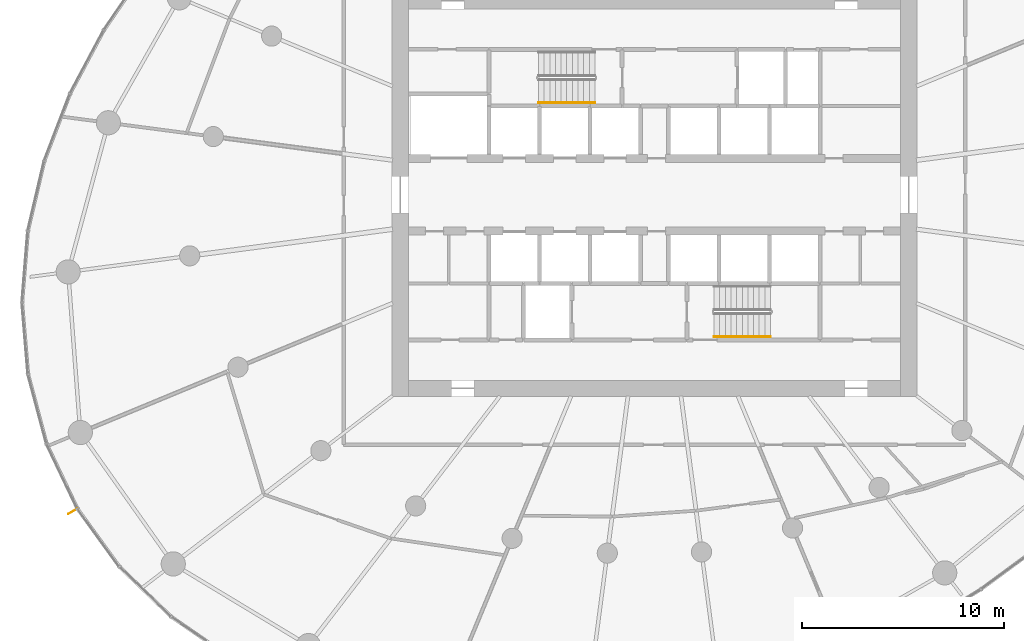
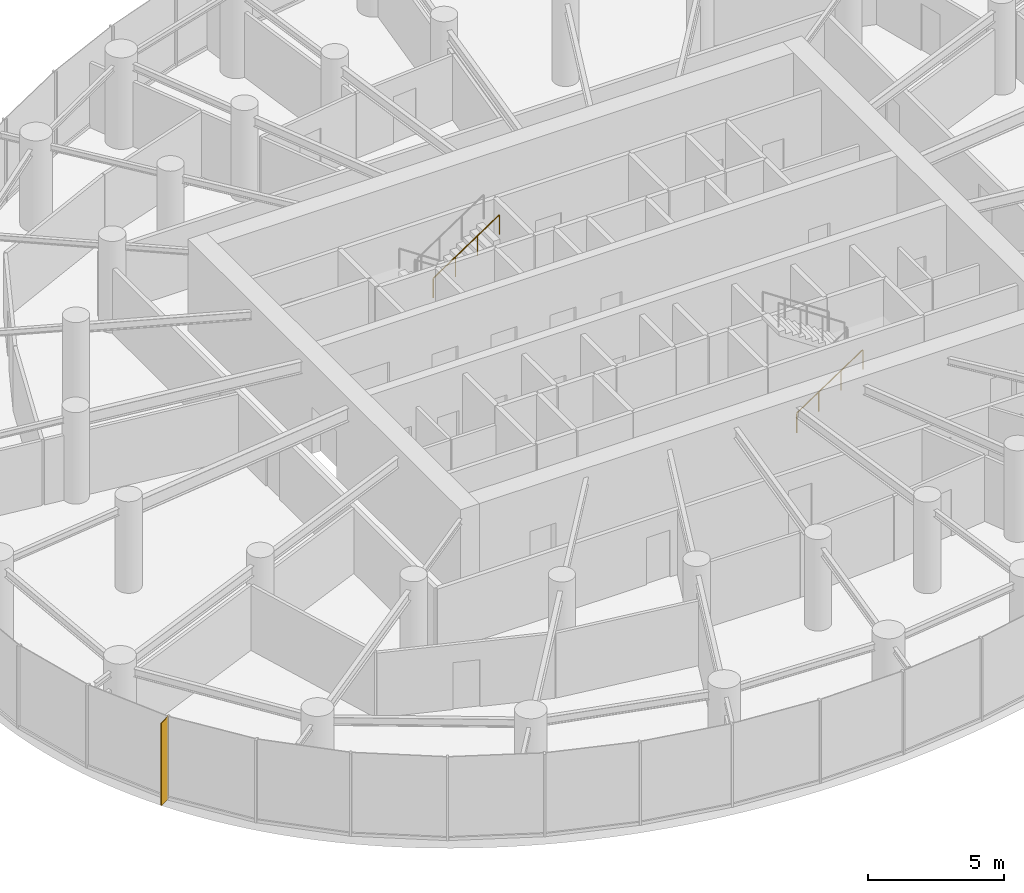
# One storey, part 15 of 17: 2 railings, 1 shading device.
"""IFC4 building model written with IfcOpenShell, lengths in metres."""

from ifc_helpers import new_model, si_unit, direction, frame, origin, origin_2d, place, context, subcontext, project, spatial, rectangle, circle, extrude, source, transform, mapped, material, material_profile, profile_set, type_object, element, save


model = new_model("IFC4")

# Units and contexts
model_context = context("Model", 3, precision=1e-05, world=origin(), true_north=direction((0.0, 1.0)))
body_context = subcontext(model_context, "Body", "Model", "MODEL_VIEW")
ifc_project = project(units=[si_unit("LENGTHUNIT", "METRE"), si_unit("AREAUNIT", "SQUARE_METRE"), si_unit("VOLUMEUNIT", "CUBIC_METRE"), si_unit("PLANEANGLEUNIT", "RADIAN"), si_unit("MASSUNIT", "GRAM", prefix="KILO")], contexts=[model_context])

# Site, building, storey
site_placement = place(None, origin())
site = spatial("IfcSite", under=ifc_project, at=site_placement, CompositionType="ELEMENT")
building_placement = place(site_placement, origin())
building = spatial("IfcBuilding", under=site, at=building_placement, Name="Spindrift Exchange Tower", CompositionType="ELEMENT")
storey_placement = place(building_placement, frame((0.0, 0.0, 96.199951171875)))
storey = spatial("IfcBuildingStorey", under=building, at=storey_placement, Name="L22", CompositionType="ELEMENT", Elevation=96.199951171875)

# Railings
ifc_material_1 = material(Name="Steel tubular handrail", Category="steel")
railing_type = type_object("IfcRailingType", Name="RL-STAIR-HAND", PredefinedType="HANDRAIL", material=ifc_material_1)
railing_1_placement = place(storey_placement, frame((46.25, 52.550048828125, 2.236328125)))
element("IfcRailing", 1, at=railing_1_placement, inside=storey, type_object=railing_type, Name="L22 ST1 stair handrail 2", PredefinedType="HANDRAIL", context=body_context, shape_type="SweptSolid", body=[
    extrude(circle(Radius=0.02392578125, at=origin_2d()), frame((0.0, 0.0, 0.8759765625), z_axis=(0.832452072856, 0.0, 0.554097055034), x_axis=(0.0, 1.0, 0.0)), (0.0, 0.0, 1.0), 3.363525390625),
    extrude(circle(Radius=0.02099609375, at=origin_2d()), origin(), (0.0, 0.0, 1.0), 0.851806640625),
    extrude(circle(Radius=0.02099609375, at=origin_2d()), frame((0.933349609375, 0.0, 0.621337890625)), (0.0, 0.0, 1.0), 0.851806640625),
    extrude(circle(Radius=0.02099609375, at=origin_2d()), frame((1.86669921875, 0.0, 1.242431640625)), (0.0, 0.0, 1.0), 0.851806640625),
    extrude(circle(Radius=0.02099609375, at=origin_2d()), frame((2.800048828125, 0.0, 1.86376953125)), (0.0, 0.0, 1.0), 0.851806640625),
])
railing_2_placement = place(storey_placement, frame((54.949951171875, 40.949951171875, 0.1865234375)))
element("IfcRailing", 2, at=railing_2_placement, inside=storey, type_object=railing_type, Name="L22 ST2 stair handrail 1", PredefinedType="HANDRAIL", context=body_context, shape_type="SweptSolid", body=[
    extrude(circle(Radius=0.02392578125, at=origin_2d()), frame((0.0, 0.0, 0.8759765625), z_axis=(0.832485552168, 0.0, 0.554046753832), x_axis=(0.0, 1.0, 0.0)), (0.0, 0.0, 1.0), 3.363525390625),
    extrude(circle(Radius=0.02099609375, at=origin_2d()), origin(), (0.0, 0.0, 1.0), 0.851806640625),
    extrude(circle(Radius=0.02099609375, at=origin_2d()), frame((0.933349609375, 0.0, 0.62109375)), (0.0, 0.0, 1.0), 0.851806640625),
    extrude(circle(Radius=0.02099609375, at=origin_2d()), frame((1.86669921875, 0.0, 1.242431640625)), (0.0, 0.0, 1.0), 0.851806640625),
    extrude(circle(Radius=0.02099609375, at=origin_2d()), frame((2.800048828125, 0.0, 1.863525390625)), (0.0, 0.0, 1.0), 0.851806640625),
])

# Shading device
ifc_material_2 = material(Name="Bronze anodised aluminium", Category="aluminium")
ifc_material_profile = material_profile(ifc_material_2, rectangle(XDim=0.030029296875, YDim=0.550048828125, at=origin_2d()), Name="WIND FIN 30X550")
ifc_profile_set = profile_set([ifc_material_profile], Name="Bronze anodised aluminium")
shading_device_type = type_object("IfcShadingDeviceType", Name="WIND FIN 30X550", PredefinedType="USERDEFINED", material=ifc_profile_set)
shared_shape = source(origin(), body_context, "Body", "SweptSolid", [
    extrude(rectangle(XDim=0.030029296875, YDim=0.550048828125, at=origin_2d()), origin(), (0.0, 0.0, 1.0), 3.699951171875),
])
shading_device_placement = place(storey_placement, frame((23.18408203125, 32.314208984375, 0.0), z_axis=(0.0, 0.0, 1.0), x_axis=(0.509989044427, -0.860180896419, 0.0)))
element("IfcShadingDevice", 3, at=shading_device_placement, inside=storey, type_object=shading_device_type, Name="L22 wind fin 1", ObjectType="FIN", PredefinedType="USERDEFINED", context=body_context, shape_type="MappedRepresentation", body=[
    mapped(shared_shape, transform((0.0, 0.0, 0.0), scale=1.0)),
])

save(model, "model.ifc")
